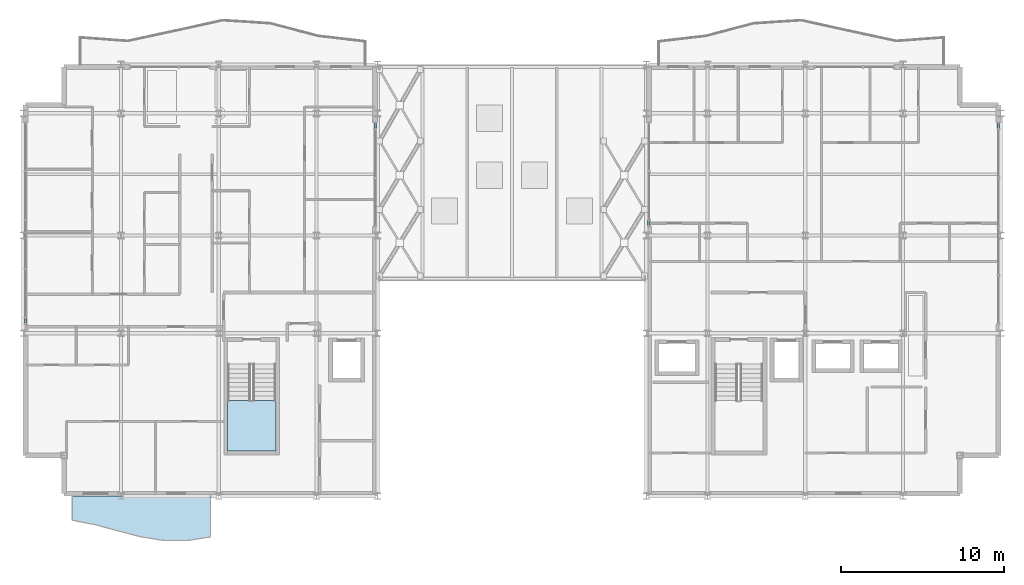
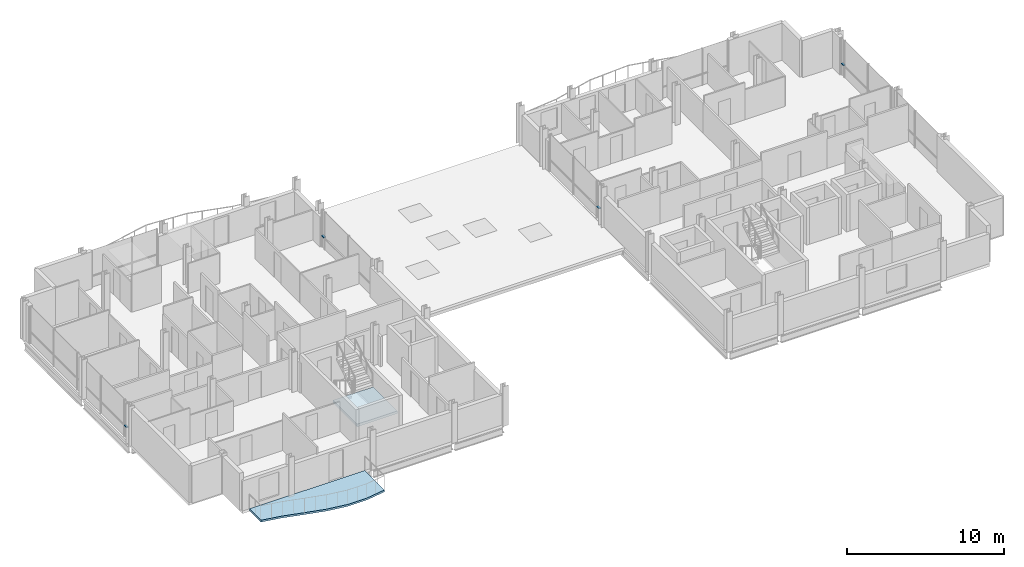
# One storey, part 19 of 33: 4 members, 2 slabs, 5 elements without a shape of their own.
"""IFC4 building model written with IfcOpenShell, lengths in metres."""

import ifcopenshell
import ifcopenshell.guid

model = None  # the IFC model being written
_history = None  # IfcOwnerHistory: only IFC2X3 demands one
_inside = {}  # id of a spatial element -> (the spatial element, [elements in it])
_under = {}  # id of a project, library or spatial element -> (it, [spatial elements below it])
_declared = {}  # id of a project -> (the project, [libraries it declares])
_typed = {}  # id of a type object -> (the type object, [elements of that type])
_made_of = {}  # id of a material, layer set ... -> (it, [elements and type objects made of it])


def new_model(schema):
    """Start an empty IFC model of exactly this schema.

    Asked for "IFC4X3", IfcOpenShell would pick the latest addendum, in which some entities
    have other attributes; the version numbers below select the first issue.
    IFC2X3 requires an IfcOwnerHistory on every rooted entity: one is made here for all.
    """
    global model, _history
    if schema == "IFC4X3":
        model = ifcopenshell.file(schema_version=(4, 3, 0, 0))
    else:
        model = ifcopenshell.file(schema=schema)
    _inside.clear()
    _under.clear()
    _declared.clear()
    _typed.clear()
    _made_of.clear()
    _history = None
    if model.schema == "IFC2X3":
        org = make("IfcOrganization", Name="unknown")
        user = make(
            "IfcPersonAndOrganization",
            ThePerson=make("IfcPerson", FamilyName="unknown"),
            TheOrganization=org,
        )
        app = make(
            "IfcApplication",
            ApplicationDeveloper=org,
            Version="unknown",
            ApplicationFullName="unknown",
            ApplicationIdentifier="unknown",
        )
        _history = make(
            "IfcOwnerHistory",
            OwningUser=user,
            OwningApplication=app,
            ChangeAction="ADDED",
            CreationDate=0,
        )
    return model


def make(cls, **values):
    """One entity of the class cls with the attributes given. An attribute that is None is left unset."""
    return model.create_entity(
        cls, **{name: value for name, value in values.items() if value is not None}
    )


def rooted(cls, **values):
    """An entity with a GlobalId (a new one), such as an element, a storey or a relation."""
    return make(cls, GlobalId=ifcopenshell.guid.new(), OwnerHistory=_history, **values)


def si_unit(unit_type, name, prefix=None):
    """IfcSIUnit, for example si_unit("LENGTHUNIT", "METRE", prefix="MILLI")."""
    return make("IfcSIUnit", UnitType=unit_type, Prefix=prefix, Name=name)


def assignment(units):
    """IfcUnitAssignment: the units of a project."""
    return None if units is None else make("IfcUnitAssignment", Units=units)


def point(xyz):
    """IfcCartesianPoint."""
    return None if xyz is None else make("IfcCartesianPoint", Coordinates=xyz)


def direction(xyz):
    """IfcDirection."""
    return None if xyz is None else make("IfcDirection", DirectionRatios=xyz)


def frame(location, z_axis=None, x_axis=None):
    """IfcAxis2Placement3D, a coordinate frame: its origin and axes. An axis left out is left unset."""
    return make(
        "IfcAxis2Placement3D",
        Location=point(location),
        Axis=direction(z_axis),
        RefDirection=direction(x_axis),
    )


def frame_2d(location, x_axis=None):
    """IfcAxis2Placement2D, a coordinate frame in the plane: its origin and x axis."""
    return make(
        "IfcAxis2Placement2D", Location=point(location), RefDirection=direction(x_axis)
    )


def origin():
    """The frame at (0, 0, 0) with its axes left unset."""
    return frame((0.0, 0.0, 0.0))


def origin_2d():
    """The frame at (0, 0) in the plane with its x axis left unset."""
    return frame_2d((0.0, 0.0))


def place(relative_to, where):
    """IfcLocalPlacement: puts the frame where relative to a parent placement (None: the world)."""
    return make(
        "IfcLocalPlacement", PlacementRelTo=relative_to, RelativePlacement=where
    )


def context(
    kind, dimensions, precision=None, world=None, true_north=None, identifier=None
):
    """IfcGeometricRepresentationContext, for example the 3D "Model" context."""
    return make(
        "IfcGeometricRepresentationContext",
        ContextIdentifier=identifier,
        ContextType=kind,
        CoordinateSpaceDimension=dimensions,
        Precision=precision,
        WorldCoordinateSystem=world,
        TrueNorth=true_north,
    )


def subcontext(parent, identifier, kind, view, scale=None):
    """IfcGeometricRepresentationSubContext, for example "Body" below "Model"."""
    return make(
        "IfcGeometricRepresentationSubContext",
        ContextIdentifier=identifier,
        ContextType=kind,
        ParentContext=parent,
        TargetScale=scale,
        TargetView=view,
    )


def project(units=None, contexts=None):
    """IfcProject with its units and contexts."""
    return rooted(
        "IfcProject",
        Name="project",
        RepresentationContexts=contexts,
        UnitsInContext=assignment(units),
    )


def spatial(cls, under=None, at=None, **own):
    """A site, building, storey or space (cls), placed at a placement, below another one or the project."""
    s = rooted(cls, ObjectPlacement=at, **own)
    if under is not None:
        _under.setdefault(under.id(), (under, []))[1].append(s)
    return s


def polyline(points):
    """IfcPolyline through the points."""
    return make("IfcPolyline", Points=[point(p) for p in points])


def profile(cls, at=None, kind="AREA", **sizes):
    """A parametric profile (cls). Its sizes go by their IFC names, for example OverallWidth=200.0."""
    return make(cls, ProfileType=kind, Position=at, **sizes)


def hollow_rectangle(**sizes):
    """IfcRectangleHollowProfileDef."""
    return profile("IfcRectangleHollowProfileDef", **sizes)


def outline(outer, holes=None, kind="AREA"):
    """IfcArbitraryClosedProfileDef: a profile drawn as a closed curve; with holes, ...WithVoids."""
    if holes is None:
        return make("IfcArbitraryClosedProfileDef", ProfileType=kind, OuterCurve=outer)
    return make(
        "IfcArbitraryProfileDefWithVoids",
        ProfileType=kind,
        OuterCurve=outer,
        InnerCurves=holes,
    )


def extrude(swept, where, along, depth):
    """IfcExtrudedAreaSolid: the profile swept, set in the frame where, extruded along a direction by depth."""
    return make(
        "IfcExtrudedAreaSolid",
        SweptArea=swept,
        Position=where,
        ExtrudedDirection=direction(along),
        Depth=depth,
    )


def shape(context_of_items, identifier, shape_type, items):
    """IfcShapeRepresentation: the items that make up one representation, for example the "Body"."""
    return make(
        "IfcShapeRepresentation",
        ContextOfItems=context_of_items,
        RepresentationIdentifier=identifier,
        RepresentationType=shape_type,
        Items=items,
    )


def material(Name=None, Category=None):
    """IfcMaterial."""
    return make("IfcMaterial", Name=Name, Category=Category)


def layer(
    of_material, thickness, ventilated=None, Name=None, Category=None, Priority=None
):
    """IfcMaterialLayer: one layer of a wall or slab, of a material (None: an air gap)."""
    return make(
        "IfcMaterialLayer",
        Material=of_material,
        LayerThickness=thickness,
        IsVentilated=ventilated,
        Name=Name,
        Category=Category,
        Priority=Priority,
    )


def layer_set(layers, Name=None):
    """IfcMaterialLayerSet."""
    return make("IfcMaterialLayerSet", MaterialLayers=layers, LayerSetName=Name)


def material_profile(
    of_material, cross_section, Name=None, Category=None, Priority=None
):
    """IfcMaterialProfile: a cross section and its material."""
    return make(
        "IfcMaterialProfile",
        Name=Name,
        Material=of_material,
        Profile=cross_section,
        Priority=Priority,
        Category=Category,
    )


def profile_set(profiles, Name=None, composite=None):
    """IfcMaterialProfileSet."""
    return make(
        "IfcMaterialProfileSet",
        Name=Name,
        MaterialProfiles=profiles,
        CompositeProfile=composite,
    )


def made_of(thing, what):
    """Note that an element or type object is made of a material, layer set ...; save() writes the relation."""
    if what is not None:
        _made_of.setdefault(what.id(), (what, []))[1].append(thing)
    return thing


def type_object(cls, material=None, **own):
    """A type object (cls), such as IfcWallType, which elements share."""
    return made_of(rooted(cls, **own), material)


def element(
    cls,
    number,
    at=None,
    inside=None,
    cuts=None,
    type_object=None,
    material=None,
    context=None,
    identifier="Body",
    shape_type=None,
    held_by="IfcProductDefinitionShape",
    body=None,
    shapes=None,
    **own,
):
    """One element of the class cls, such as IfcWall. Its Tag is "e" and its number.

    at: its placement. inside: the storey or other place that contains it. cuts: it is an
    opening in that element (IfcRelVoidsElement). A single representation is given by context,
    identifier, shape_type and body (its items); several are given by shapes. held_by: the class
    of the entity that holds the representations. save() writes the other relations.
    """
    e = rooted(cls, Tag="e%d" % number, ObjectPlacement=at, **own)
    if body is not None:
        shapes = [shape(context, identifier, shape_type, body)]
    if shapes is not None:
        e.Representation = make(held_by, Representations=shapes)
    if inside is not None:
        _inside.setdefault(inside.id(), (inside, []))[1].append(e)
    if cuts is not None:
        rooted(
            "IfcRelVoidsElement", RelatingBuildingElement=cuts, RelatedOpeningElement=e
        )
    if type_object is not None:
        _typed.setdefault(type_object.id(), (type_object, []))[1].append(e)
    return made_of(e, material)


def aggregate(whole, parts):
    """IfcRelAggregates: a whole, such as a stair, and the parts it consists of."""
    return rooted("IfcRelAggregates", RelatingObject=whole, RelatedObjects=parts)


def save(model, path):
    """Write the relations noted so far, then the file.

    IfcRelAggregates (storeys below a building ...), IfcRelContainedInSpatialStructure (elements
    in a storey), IfcRelDefinesByType, IfcRelAssociatesMaterial and IfcRelDeclares: one each for
    every whole, place, type object, material and project.
    """
    for whole, parts in _under.values():
        aggregate(whole, parts)
    for where, things in _inside.values():
        rooted(
            "IfcRelContainedInSpatialStructure",
            RelatedElements=things,
            RelatingStructure=where,
        )
    for kind, things in _typed.values():
        rooted("IfcRelDefinesByType", RelatedObjects=things, RelatingType=kind)
    for what, things in _made_of.values():
        rooted("IfcRelAssociatesMaterial", RelatedObjects=things, RelatingMaterial=what)
    for by, libraries in _declared.values():
        rooted("IfcRelDeclares", RelatingContext=by, RelatedDefinitions=libraries)
    model.write(path)


model = new_model("IFC4")

# Units and contexts
model_context = context("Model", 3, precision=1e-05, world=origin(), true_north=direction((0.0, 1.0)))
body_context = subcontext(model_context, "Body", "Model", "MODEL_VIEW")
ifc_project = project(units=[si_unit("LENGTHUNIT", "METRE"), si_unit("AREAUNIT", "SQUARE_METRE"), si_unit("VOLUMEUNIT", "CUBIC_METRE"), si_unit("PLANEANGLEUNIT", "RADIAN"), si_unit("MASSUNIT", "GRAM", prefix="KILO")], contexts=[model_context])

# Site, building, storey
site_placement = place(None, origin())
site = spatial("IfcSite", under=ifc_project, at=site_placement, CompositionType="ELEMENT")
building_placement = place(site_placement, origin())
building = spatial("IfcBuilding", under=site, at=building_placement, Name="Brevholm Reach", CompositionType="ELEMENT")
storey_placement = place(building_placement, frame((0.0, 0.0, 189.39990234375)))
storey = spatial("IfcBuildingStorey", under=building, at=storey_placement, Name="L57", CompositionType="ELEMENT", Elevation=189.39990234375)

# Curtain wall, member
ifc_material_1 = material(Name="Dark Anodised Aluminium 6063-T6 and Solar-Control Glass", Category="aluminium")
ifc_layer_1 = layer(ifc_material_1, 0.14990234375)
ifc_layer_set_1 = layer_set([ifc_layer_1], Name="Dark Anodised Aluminium 6063-T6 and Solar-Control Glass")
curtain_wall_type_1 = type_object("IfcCurtainWallType", Name="CW-01", PredefinedType="NOTDEFINED", material=ifc_layer_set_1)
curtain_wall_1_placement = place(storey_placement, origin())
curtain_wall_1 = element("IfcCurtainWall", 1, at=curtain_wall_1_placement, inside=storey, type_object=curtain_wall_type_1, Name="L57 Curtain Wall CW-01", PredefinedType="NOTDEFINED")
ifc_material_2 = material(Name="Dark Anodised Aluminium 6063-T6", Category="aluminium")
ifc_material_profile_1 = material_profile(ifc_material_2, hollow_rectangle(XDim=0.06494140625, YDim=0.14990234375, WallThickness=0.0048828125, InnerFilletRadius=0.0048828125, OuterFilletRadius=0.010009765625, at=origin_2d()), Name="RHS 150x65x5")
ifc_profile_set_1 = profile_set([ifc_material_profile_1], Name="Dark Anodised Aluminium 6063-T6")
member_type_1 = type_object("IfcMemberType", Name="CWT-150", PredefinedType="NOTDEFINED", material=ifc_profile_set_1)
member_1_placement = place(storey_placement, frame((0.14990234375, 10.91748046875, 0.900146484375), z_axis=(0.0, -1.0, 0.0), x_axis=(0.0, 0.0, 1.0)))
member_1 = element("IfcMember", 2, at=member_1_placement, type_object=member_type_1, Name="CT-150 Transom 5.1", ObjectType="TRANSOM", PredefinedType="USERDEFINED", context=body_context, shape_type="SweptSolid", body=[
    extrude(hollow_rectangle(XDim=0.06494140625, YDim=0.14990234375, WallThickness=0.0048828125, InnerFilletRadius=0.0048828125, OuterFilletRadius=0.010009765625, at=origin_2d()), origin(), (0.0, 0.0, 1.0), 0.302490234375),
])
aggregate(curtain_wall_1, [member_1])

curtain_wall_2_placement = place(storey_placement, origin())
curtain_wall_2 = element("IfcCurtainWall", 3, at=curtain_wall_2_placement, inside=storey, type_object=curtain_wall_type_1, Name="L57 Curtain Wall CW-01", PredefinedType="NOTDEFINED")
member_2_placement = place(storey_placement, frame((59.85009765625, 22.58251953125, 0.900146484375), z_axis=(0.0, 1.0, 0.0), x_axis=(0.0, 0.0, 1.0)))
member_2 = element("IfcMember", 4, at=member_2_placement, type_object=member_type_1, Name="CT-150 Transom 5.1", ObjectType="TRANSOM", PredefinedType="USERDEFINED", context=body_context, shape_type="SweptSolid", body=[
    extrude(hollow_rectangle(XDim=0.06494140625, YDim=0.14990234375, WallThickness=0.0048828125, InnerFilletRadius=0.0048828125, OuterFilletRadius=0.010009765625, at=origin_2d()), origin(), (0.0, 0.0, 1.0), 0.302490234375),
])
aggregate(curtain_wall_2, [member_2])

ifc_material_3 = material(Name="Dark Anodised Aluminium 6063-T6 and Solar-Control Glass", Category="aluminium")
ifc_layer_2 = layer(ifc_material_3, 0.1650390625)
ifc_layer_set_2 = layer_set([ifc_layer_2], Name="Dark Anodised Aluminium 6063-T6 and Solar-Control Glass")
curtain_wall_type_2 = type_object("IfcCurtainWallType", Name="CW-04", PredefinedType="NOTDEFINED", material=ifc_layer_set_2)
curtain_wall_3_placement = place(storey_placement, origin())
curtain_wall_3 = element("IfcCurtainWall", 5, at=curtain_wall_3_placement, inside=storey, type_object=curtain_wall_type_2, Name="L57 Curtain Wall CW-04", PredefinedType="NOTDEFINED")
ifc_material_4 = material(Name="Dark Anodised Aluminium 6063-T6", Category="aluminium")
ifc_material_profile_2 = material_profile(ifc_material_4, hollow_rectangle(XDim=0.070068359375, YDim=0.1650390625, WallThickness=0.0048828125, InnerFilletRadius=0.0048828125, OuterFilletRadius=0.010009765625, at=origin_2d()), Name="RHS 165x70x5")
ifc_profile_set_2 = profile_set([ifc_material_profile_2], Name="Dark Anodised Aluminium 6063-T6")
member_type_2 = type_object("IfcMemberType", Name="CWT-165", PredefinedType="NOTDEFINED", material=ifc_profile_set_2)
member_3_placement = place(storey_placement, frame((21.60009765625, 22.5849609375, 0.900146484375), z_axis=(0.0, 1.0, 0.0), x_axis=(0.0, 0.0, 1.0)))
member_3 = element("IfcMember", 6, at=member_3_placement, type_object=member_type_2, Name="CT-165 Transom 3.1", ObjectType="TRANSOM", PredefinedType="USERDEFINED", context=body_context, shape_type="SweptSolid", body=[
    extrude(hollow_rectangle(XDim=0.070068359375, YDim=0.1650390625, WallThickness=0.0048828125, InnerFilletRadius=0.0048828125, OuterFilletRadius=0.010009765625, at=origin_2d()), origin(), (0.0, 0.0, 1.0), 0.294921875),
])
aggregate(curtain_wall_3, [member_3])

curtain_wall_4_placement = place(storey_placement, origin())
curtain_wall_4 = element("IfcCurtainWall", 7, at=curtain_wall_4_placement, inside=storey, type_object=curtain_wall_type_2, Name="L57 Curtain Wall CW-04", PredefinedType="NOTDEFINED")
member_4_placement = place(storey_placement, frame((38.39990234375, 16.9150390625, 0.900146484375), z_axis=(0.0, -1.0, 0.0), x_axis=(0.0, 0.0, 1.0)))
member_4 = element("IfcMember", 8, at=member_4_placement, type_object=member_type_2, Name="CT-165 Transom 3.1", ObjectType="TRANSOM", PredefinedType="USERDEFINED", context=body_context, shape_type="SweptSolid", body=[
    extrude(hollow_rectangle(XDim=0.070068359375, YDim=0.1650390625, WallThickness=0.0048828125, InnerFilletRadius=0.0048828125, OuterFilletRadius=0.010009765625, at=origin_2d()), origin(), (0.0, 0.0, 1.0), 0.294921875),
])
aggregate(curtain_wall_4, [member_4])

# Slab
ifc_material_5 = material(Name="Precast Concrete C45/55", Category="concrete")
ifc_layer_3 = layer(ifc_material_5, 0.14990234375)
ifc_layer_set_3 = layer_set([ifc_layer_3], Name="Precast Concrete C45/55")
slab_type_1 = type_object("IfcSlabType", Name="SLB-BAL-150", PredefinedType="FLOOR", material=ifc_layer_set_3)
slab_1_placement = place(storey_placement, frame((0.0, 0.0, -0.14990234375)))
element("IfcSlab", 9, at=slab_1_placement, inside=storey, type_object=slab_type_1, Name="L57 Rippling External Balcony SW", PredefinedType="FLOOR", context=body_context, shape_type="SweptSolid", body=[
    extrude(outline(polyline([(3.0, -1.4736328125), (4.416748046875, -1.747802734375), (5.833251953125, -2.1337890625), (7.25, -2.499755859375), (8.666748046875, -2.720458984375), (10.083251953125, -2.720458984375), (11.5, -2.499755859375), (11.5, 0.0), (3.0, 0.0), (3.0, -1.4736328125)])), origin(), (0.0, 0.0, 1.0), 0.14990234375),
])

# Stair, slab
ifc_material_6 = material(Name="Precast Concrete C40/50", Category="concrete")
stair_type = type_object("IfcStairType", Name="STR-ESC-1400", PredefinedType="DOUBLE_RETURN_STAIR", material=ifc_material_6)
stair_placement = place(storey_placement, origin())
stair = element("IfcStair", 10, at=stair_placement, inside=storey, type_object=stair_type, Name="L57 ST-1", PredefinedType="DOUBLE_RETURN_STAIR")
ifc_material_7 = material(Name="Concrete C40/50", Category="concrete")
ifc_layer_4 = layer(ifc_material_7, 0.199951171875)
ifc_layer_set_4 = layer_set([ifc_layer_4], Name="Concrete C40/50")
slab_type_2 = type_object("IfcSlabType", Name="SLB-LND-200", PredefinedType="LANDING", material=ifc_layer_set_4)
slab_2_placement = place(storey_placement, frame((0.0, 0.0, 1.35009765625)))
slab_2 = element("IfcSlab", 11, at=slab_2_placement, type_object=slab_type_2, Name="ST-1 landing 1", PredefinedType="LANDING", context=body_context, shape_type="SweptSolid", body=[
    extrude(outline(polyline([(12.550048828125, 5.860107421875), (12.550048828125, 2.780029296875), (15.5, 2.780029296875), (15.5, 5.860107421875), (12.550048828125, 5.860107421875)])), origin(), (0.0, 0.0, 1.0), 0.199951171875),
])
aggregate(stair, [slab_2])

save(model, "model.ifc")
